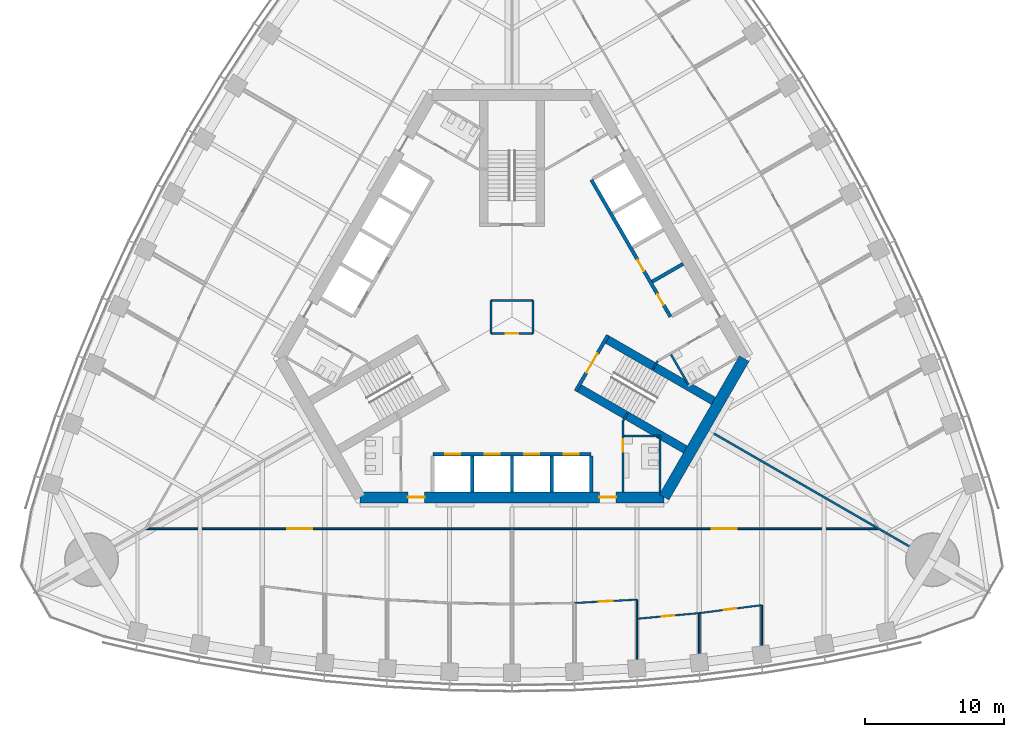
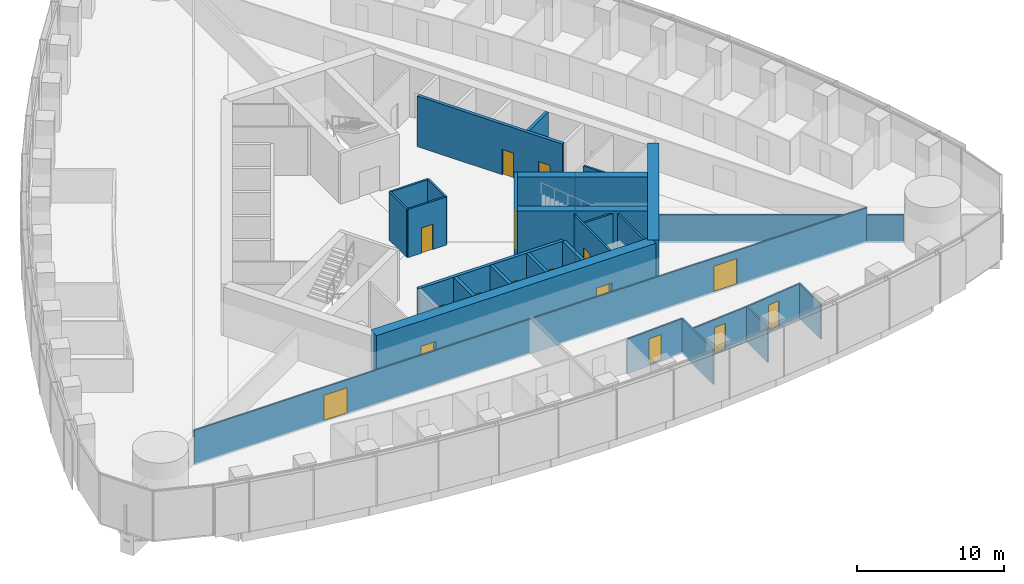
# One storey, part 12 of 21: 30 walls, 16 doors, 16 openings.
"""IFC4 building model written with IfcOpenShell, lengths in metres."""

from ifc_helpers import new_model, si_unit, direction, frame, frame_2d, origin, place, context, subcontext, project, spatial, rectangle, extrude, material, layer, layer_set, type_object, element, fill, save


model = new_model("IFC4")

# Units and contexts
model_context = context("Model", 3, precision=1e-05, world=origin(), true_north=direction((0.0, 1.0)))
body_context = subcontext(model_context, "Body", "Model", "MODEL_VIEW")
ifc_project = project(units=[si_unit("LENGTHUNIT", "METRE"), si_unit("AREAUNIT", "SQUARE_METRE"), si_unit("VOLUMEUNIT", "CUBIC_METRE"), si_unit("PLANEANGLEUNIT", "RADIAN"), si_unit("MASSUNIT", "GRAM", prefix="KILO")], contexts=[model_context])

# Site, building, storey
site_placement = place(None, origin())
site = spatial("IfcSite", under=ifc_project, at=site_placement, CompositionType="ELEMENT")
building_placement = place(site_placement, origin())
building = spatial("IfcBuilding", under=site, at=building_placement, Name="Trefoil Bronze Tower", CompositionType="ELEMENT")
storey_placement = place(building_placement, frame((0.0, 0.0, 149.300048828125)))
storey = spatial("IfcBuildingStorey", under=building, at=storey_placement, Name="L34", CompositionType="ELEMENT", Elevation=149.300048828125)

# Wall, openings, doors
ifc_material_1 = material(Name="Concrete B80", Category="concrete")
ifc_layer_1 = layer(ifc_material_1, 0.800048828125)
ifc_layer_set_1 = layer_set([ifc_layer_1], Name="Core wall 800")
wall_type_1 = type_object("IfcWallType", Name="Core wall 800", PredefinedType="SHEAR", material=ifc_layer_set_1)
wall_1_placement = place(storey_placement, frame((-10.9697265625, -13.0, 0.0), z_axis=(0.0, 0.0, 1.0), x_axis=(1.0, 0.0, 0.0)))
wall_1 = element("IfcWall", 1, at=wall_1_placement, inside=storey, type_object=wall_type_1, Name="Core long wall 1 L34", PredefinedType="SHEAR", context=body_context, shape_type="SweptSolid", body=[
    extrude(rectangle(XDim=21.939453125, YDim=0.800048828125, at=frame_2d((10.9697265625, 0.0))), origin(), (0.0, 0.0, 1.0), 4.199951171875),
])
opening_1_placement = place(wall_1_placement, frame((17.269775390625, 0.0, 0.0)))
opening_1 = element("IfcOpeningElement", 2, at=opening_1_placement, cuts=wall_1, Name="Opening D2", PredefinedType="OPENING", context=body_context, shape_type="SweptSolid", body=[
    extrude(rectangle(XDim=1.199951171875, YDim=2.10009765625, at=frame_2d((0.60009765625, 1.050048828125))), frame((0.0, 0.409912109375, 0.0), z_axis=(0.0, -1.0, 0.0), x_axis=(1.0, 0.0, 0.0)), (0.0, 0.0, 1.0), 0.820068359375),
])
opening_2_placement = place(wall_1_placement, frame((3.4697265625, 0.0, 0.0)))
opening_2 = element("IfcOpeningElement", 3, at=opening_2_placement, cuts=wall_1, Name="Opening D2", PredefinedType="OPENING", context=body_context, shape_type="SweptSolid", body=[
    extrude(rectangle(XDim=1.199951171875, YDim=2.10009765625, at=frame_2d((0.60009765625, 1.050048828125))), frame((0.0, 0.409912109375, 0.0), z_axis=(0.0, -1.0, 0.0), x_axis=(1.0, 0.0, 0.0)), (0.0, 0.0, 1.0), 0.820068359375),
])
ifc_material_2 = material(Name="Steel door", Category="steel")
door_type_1 = type_object("IfcDoorType", Name="Lobby door 1200", OperationType="SINGLE_SWING_RIGHT", PredefinedType="DOOR", material=ifc_material_2)
door_1_placement = place(opening_1_placement, origin())
door_1 = element("IfcDoor", 4, at=door_1_placement, inside=storey, type_object=door_type_1, Name="Lobby door F1+ L34", OperationType="SINGLE_SWING_RIGHT", OverallHeight=2.10009765625, OverallWidth=1.199951171875, PredefinedType="DOOR", context=body_context, shape_type="SweptSolid", body=[
    extrude(rectangle(XDim=1.199951171875, YDim=2.10009765625, at=frame_2d((0.60009765625, 1.050048828125))), frame((0.0, 0.02490234375, 0.0), z_axis=(0.0, -1.0, 0.0), x_axis=(1.0, 0.0, 0.0)), (0.0, 0.0, 1.0), 0.050048828125),
])
fill(opening_1, door_1)
door_2_placement = place(opening_2_placement, origin())
door_2 = element("IfcDoor", 5, at=door_2_placement, inside=storey, type_object=door_type_1, Name="Lobby door F1- L34", OperationType="SINGLE_SWING_LEFT", OverallHeight=2.10009765625, OverallWidth=1.199951171875, PredefinedType="DOOR", context=body_context, shape_type="SweptSolid", body=[
    extrude(rectangle(XDim=1.199951171875, YDim=2.10009765625, at=frame_2d((0.60009765625, 1.050048828125))), frame((0.0, 0.02490234375, 0.0), z_axis=(0.0, -1.0, 0.0), x_axis=(1.0, 0.0, 0.0)), (0.0, 0.0, 1.0), 0.050048828125),
])
fill(opening_2, door_2)

# Wall
wall_2_placement = place(storey_placement, frame((10.9697265625, -13.0, 0.0), z_axis=(0.0, 0.0, 1.0), x_axis=(0.499995765644, 0.866027848477, 0.0)))
element("IfcWall", 6, at=wall_2_placement, inside=storey, type_object=wall_type_1, Name="Core short wall 1 L34", PredefinedType="SHEAR", context=body_context, shape_type="SweptSolid", body=[
    extrude(rectangle(XDim=11.546875, YDim=0.800048828125, at=frame_2d((5.7734375, 0.0))), origin(), (0.0, 0.0, 1.0), 4.199951171875),
])

# Wall, openings, doors
ifc_material_3 = material(Name="Glazed partition", Category="glass")
ifc_layer_2 = layer(ifc_material_3, 0.1201171875)
ifc_layer_set_2 = layer_set([ifc_layer_2], Name="Glazed partition 120")
wall_type_2 = type_object("IfcWallType", Name="Glazed partition 120", PredefinedType="PARTITIONING", material=ifc_layer_set_2)
wall_3_placement = place(storey_placement, frame((-26.398193359375, -15.260009765625, 0.0), z_axis=(0.0, 0.0, 1.0), x_axis=(1.0, 0.0, 0.0)))
wall_3 = element("IfcWall", 7, at=wall_3_placement, inside=storey, type_object=wall_type_2, Name="Partition F1 L34", PredefinedType="PARTITIONING", context=body_context, shape_type="SweptSolid", body=[
    extrude(rectangle(XDim=52.79638671875, YDim=0.1201171875, at=frame_2d((26.398193359375, 0.0))), origin(), (0.0, 0.0, 1.0), 2.89990234375),
])
opening_3_placement = place(wall_3_placement, frame((10.199951171875, 0.0, 0.14990234375)))
opening_3 = element("IfcOpeningElement", 8, at=opening_3_placement, cuts=wall_3, Name="Opening D10", PredefinedType="OPENING", context=body_context, shape_type="SweptSolid", body=[
    extrude(rectangle(XDim=1.800048828125, YDim=2.10009765625, at=frame_2d((0.89990234375, 1.050048828125))), frame((0.0, 0.070068359375, 0.0), z_axis=(0.0, -1.0, 0.0), x_axis=(1.0, 0.0, 0.0)), (0.0, 0.0, 1.0), 0.14013671875),
])
opening_4_placement = place(wall_3_placement, frame((40.800048828125, 0.0, 0.14990234375)))
opening_4 = element("IfcOpeningElement", 9, at=opening_4_placement, cuts=wall_3, Name="Opening D10", PredefinedType="OPENING", context=body_context, shape_type="SweptSolid", body=[
    extrude(rectangle(XDim=1.800048828125, YDim=2.10009765625, at=frame_2d((0.89990234375, 1.050048828125))), frame((0.0, 0.070068359375, 0.0), z_axis=(0.0, -1.0, 0.0), x_axis=(1.0, 0.0, 0.0)), (0.0, 0.0, 1.0), 0.14013671875),
])
ifc_material_4 = material(Name="Timber door", Category="wood")
door_type_2 = type_object("IfcDoorType", Name="Double door 1800", OperationType="DOUBLE_DOOR_SINGLE_SWING", PredefinedType="DOOR", material=ifc_material_4)
door_3_placement = place(opening_3_placement, origin())
door_3 = element("IfcDoor", 10, at=door_3_placement, inside=storey, type_object=door_type_2, Name="Corridor door F1 L34", OperationType="DOUBLE_DOOR_SINGLE_SWING", OverallHeight=2.10009765625, OverallWidth=1.800048828125, PredefinedType="DOOR", context=body_context, shape_type="SweptSolid", body=[
    extrude(rectangle(XDim=1.800048828125, YDim=2.10009765625, at=frame_2d((0.89990234375, 1.050048828125))), frame((0.0, 0.02490234375, 0.0), z_axis=(0.0, -1.0, 0.0), x_axis=(1.0, 0.0, 0.0)), (0.0, 0.0, 1.0), 0.050048828125),
])
fill(opening_3, door_3)
door_4_placement = place(opening_4_placement, origin())
door_4 = element("IfcDoor", 11, at=door_4_placement, inside=storey, type_object=door_type_2, Name="Corridor door F1 L34", OperationType="DOUBLE_DOOR_SINGLE_SWING", OverallHeight=2.10009765625, OverallWidth=1.800048828125, PredefinedType="DOOR", context=body_context, shape_type="SweptSolid", body=[
    extrude(rectangle(XDim=1.800048828125, YDim=2.10009765625, at=frame_2d((0.89990234375, 1.050048828125))), frame((0.0, 0.02490234375, 0.0), z_axis=(0.0, -1.0, 0.0), x_axis=(1.0, 0.0, 0.0)), (0.0, 0.0, 1.0), 0.050048828125),
])
fill(opening_4, door_4)

# Wall, opening, door
wall_4_placement = place(storey_placement, frame((13.5, -21.347900390625, 0.0), z_axis=(0.0, 0.0, 1.0), x_axis=(0.992010652594, 0.12615413247, 0.0)))
wall_4 = element("IfcWall", 12, at=wall_4_placement, inside=storey, type_object=wall_type_2, Name="Partition F1 L34", PredefinedType="PARTITIONING", context=body_context, shape_type="SweptSolid", body=[
    extrude(rectangle(XDim=4.5361328125, YDim=0.1201171875, at=frame_2d((2.26806640625, 0.0))), origin(), (0.0, 0.0, 1.0), 2.89990234375),
])
opening_5_placement = place(wall_4_placement, frame((1.800048828125, 0.0, 0.14990234375)))
opening_5 = element("IfcOpeningElement", 13, at=opening_5_placement, cuts=wall_4, Name="Opening D8", PredefinedType="OPENING", context=body_context, shape_type="SweptSolid", body=[
    extrude(rectangle(XDim=0.89990234375, YDim=2.10009765625, at=frame_2d((0.449951171875, 1.050048828125))), frame((0.0, 0.070068359375, 0.0), z_axis=(0.0, -1.0, 0.0), x_axis=(1.0, 0.0, 0.0)), (0.0, 0.0, 1.0), 0.14013671875),
])
ifc_material_5 = material(Name="Timber door", Category="wood")
door_type_3 = type_object("IfcDoorType", Name="Office door 900", OperationType="SINGLE_SWING_LEFT", PredefinedType="DOOR", material=ifc_material_5)
door_5_placement = place(opening_5_placement, frame((0.89990234375, 0.0, 0.0), z_axis=(0.0, 0.0, 1.0), x_axis=(-1.0, 0.0, 0.0)))
door_5 = element("IfcDoor", 14, at=door_5_placement, inside=storey, type_object=door_type_3, Name="Pantry door F1 L34", OperationType="SINGLE_SWING_RIGHT", OverallHeight=2.10009765625, OverallWidth=0.89990234375, PredefinedType="DOOR", context=body_context, shape_type="SweptSolid", body=[
    extrude(rectangle(XDim=0.89990234375, YDim=2.10009765625, at=frame_2d((0.449951171875, 1.050048828125))), frame((0.0, 0.02490234375, 0.0), z_axis=(0.0, -1.0, 0.0), x_axis=(1.0, 0.0, 0.0)), (0.0, 0.0, 1.0), 0.050048828125),
])
fill(opening_5, door_5)

wall_5_placement = place(storey_placement, frame((4.5, -20.61865234375, 0.0), z_axis=(0.0, 0.0, 1.0), x_axis=(0.998537376538, 0.054065771581, 0.0)))
wall_5 = element("IfcWall", 15, at=wall_5_placement, inside=storey, type_object=wall_type_2, Name="Partition F1 L34", PredefinedType="PARTITIONING", context=body_context, shape_type="SweptSolid", body=[
    extrude(rectangle(XDim=4.506591796875, YDim=0.1201171875, at=frame_2d((2.25341796875, 0.0))), origin(), (0.0, 0.0, 1.0), 2.89990234375),
])
opening_6_placement = place(wall_5_placement, frame((1.75, 0.0, 0.14990234375)))
opening_6 = element("IfcOpeningElement", 16, at=opening_6_placement, cuts=wall_5, Name="Opening D9", PredefinedType="OPENING", context=body_context, shape_type="SweptSolid", body=[
    extrude(rectangle(XDim=1.0, YDim=2.10009765625, at=frame_2d((0.5, 1.050048828125))), frame((0.0, 0.070068359375, 0.0), z_axis=(0.0, -1.0, 0.0), x_axis=(1.0, 0.0, 0.0)), (0.0, 0.0, 1.0), 0.14013671875),
])
ifc_material_6 = material(Name="Glazed timber door", Category="wood")
door_type_4 = type_object("IfcDoorType", Name="Meeting room door 1000", OperationType="SINGLE_SWING_LEFT", PredefinedType="DOOR", material=ifc_material_6)
door_6_placement = place(opening_6_placement, frame((1.0, 0.0, 0.0), z_axis=(0.0, 0.0, 1.0), x_axis=(-1.0, 0.0, 0.0)))
door_6 = element("IfcDoor", 17, at=door_6_placement, inside=storey, type_object=door_type_4, Name="Meeting room door F1 L34", OperationType="SINGLE_SWING_RIGHT", OverallHeight=2.10009765625, OverallWidth=1.0, PredefinedType="DOOR", context=body_context, shape_type="SweptSolid", body=[
    extrude(rectangle(XDim=1.0, YDim=2.10009765625, at=frame_2d((0.5, 1.050048828125))), frame((0.0, 0.02490234375, 0.0), z_axis=(0.0, -1.0, 0.0), x_axis=(1.0, 0.0, 0.0)), (0.0, 0.0, 1.0), 0.050048828125),
])
fill(opening_6, door_6)

wall_6_placement = place(storey_placement, frame((9.0, -21.7548828125, 0.0), z_axis=(0.0, 0.0, 1.0), x_axis=(0.995935173755, 0.090072913121, 0.0)))
wall_6 = element("IfcWall", 18, at=wall_6_placement, inside=storey, type_object=wall_type_2, Name="Partition F1 L34", PredefinedType="PARTITIONING", context=body_context, shape_type="SweptSolid", body=[
    extrude(rectangle(XDim=4.518310546875, YDim=0.1201171875, at=frame_2d((2.25927734375, 0.0))), origin(), (0.0, 0.0, 1.0), 2.89990234375),
])
opening_7_placement = place(wall_6_placement, frame((1.800048828125, 0.0, 0.14990234375)))
opening_7 = element("IfcOpeningElement", 19, at=opening_7_placement, cuts=wall_6, Name="Opening D8", PredefinedType="OPENING", context=body_context, shape_type="SweptSolid", body=[
    extrude(rectangle(XDim=0.89990234375, YDim=2.10009765625, at=frame_2d((0.449951171875, 1.050048828125))), frame((0.0, 0.070068359375, 0.0), z_axis=(0.0, -1.0, 0.0), x_axis=(1.0, 0.0, 0.0)), (0.0, 0.0, 1.0), 0.14013671875),
])
door_7_placement = place(opening_7_placement, frame((0.89990234375, 0.0, 0.0), z_axis=(0.0, 0.0, 1.0), x_axis=(-1.0, 0.0, 0.0)))
door_7 = element("IfcDoor", 20, at=door_7_placement, inside=storey, type_object=door_type_3, Name="Pantry door F1 L34", OperationType="SINGLE_SWING_RIGHT", OverallHeight=2.10009765625, OverallWidth=0.89990234375, PredefinedType="DOOR", context=body_context, shape_type="SweptSolid", body=[
    extrude(rectangle(XDim=0.89990234375, YDim=2.10009765625, at=frame_2d((0.449951171875, 1.050048828125))), frame((0.0, 0.02490234375, 0.0), z_axis=(0.0, -1.0, 0.0), x_axis=(1.0, 0.0, 0.0)), (0.0, 0.0, 1.0), 0.050048828125),
])
fill(opening_7, door_7)

# Walls
wall_7_placement = place(storey_placement, frame((13.5, -21.347900390625, 0.0), z_axis=(0.0, 0.0, 1.0), x_axis=(0.0, -1.0, 0.0)))
element("IfcWall", 21, at=wall_7_placement, inside=storey, type_object=wall_type_2, Name="Partition F1 L34", PredefinedType="PARTITIONING", context=body_context, shape_type="SweptSolid", body=[
    extrude(rectangle(XDim=2.906494140625, YDim=0.1201171875, at=frame_2d((1.453125, 0.0))), origin(), (0.0, 0.0, 1.0), 2.89990234375),
])
wall_8_placement = place(storey_placement, frame((18.0, -20.775634765625, 0.0), z_axis=(0.0, 0.0, 1.0), x_axis=(0.0, -1.0, 0.0)))
element("IfcWall", 22, at=wall_8_placement, inside=storey, type_object=wall_type_2, Name="Partition F1 L34", PredefinedType="PARTITIONING", context=body_context, shape_type="SweptSolid", body=[
    extrude(rectangle(XDim=2.899658203125, YDim=0.1201171875, at=frame_2d((1.44970703125, 0.0))), origin(), (0.0, 0.0, 1.0), 2.89990234375),
])
wall_9_placement = place(storey_placement, frame((9.0, -20.375, 0.0), z_axis=(0.0, 0.0, 1.0), x_axis=(0.0, -1.0, 0.0)))
element("IfcWall", 23, at=wall_9_placement, inside=storey, type_object=wall_type_2, Name="Partition F1 L34", PredefinedType="PARTITIONING", context=body_context, shape_type="SweptSolid", body=[
    extrude(rectangle(XDim=4.291259765625, YDim=0.1201171875, at=frame_2d((2.1455078125, 0.0))), origin(), (0.0, 0.0, 1.0), 2.89990234375),
])

# Wall, opening, door
ifc_material_7 = material(Name="Gypsum board on steel studs", Category="steel")
ifc_layer_3 = layer(ifc_material_7, 0.14990234375)
ifc_layer_set_3 = layer_set([ifc_layer_3], Name="Partition 150")
wall_type_3 = type_object("IfcWallType", Name="Partition 150", PredefinedType="PARTITIONING", material=ifc_layer_set_3)
wall_10_placement = place(storey_placement, frame((8.0, -7.5, 0.0), z_axis=(0.0, 0.0, 1.0), x_axis=(0.0, -1.0, 0.0)))
wall_10 = element("IfcWall", 24, at=wall_10_placement, inside=storey, type_object=wall_type_3, Name="Passage wall F1+ L34", PredefinedType="PARTITIONING", context=body_context, shape_type="SweptSolid", body=[
    extrude(rectangle(XDim=5.10009765625, YDim=0.14990234375, at=frame_2d((2.550048828125, 0.0))), origin(), (0.0, 0.0, 1.0), 4.0),
])
opening_8_placement = place(wall_10_placement, frame((1.300048828125, 0.0, 0.0)))
opening_8 = element("IfcOpeningElement", 25, at=opening_8_placement, cuts=wall_10, Name="Opening D3", PredefinedType="OPENING", context=body_context, shape_type="SweptSolid", body=[
    extrude(rectangle(XDim=0.89990234375, YDim=2.10009765625, at=frame_2d((0.449951171875, 1.050048828125))), frame((0.0, 0.0849609375, 0.0), z_axis=(0.0, -1.0, 0.0), x_axis=(1.0, 0.0, 0.0)), (0.0, 0.0, 1.0), 0.169921875),
])
ifc_material_8 = material(Name="Timber door", Category="wood")
door_type_5 = type_object("IfcDoorType", Name="WC door 900", OperationType="SINGLE_SWING_LEFT", PredefinedType="DOOR", material=ifc_material_8)
door_8_placement = place(opening_8_placement, origin())
door_8 = element("IfcDoor", 26, at=door_8_placement, inside=storey, type_object=door_type_5, Name="WC (men) door L34", OperationType="SINGLE_SWING_LEFT", OverallHeight=2.10009765625, OverallWidth=0.89990234375, PredefinedType="DOOR", context=body_context, shape_type="SweptSolid", body=[
    extrude(rectangle(XDim=0.89990234375, YDim=2.10009765625, at=frame_2d((0.449951171875, 1.050048828125))), frame((0.0, 0.02490234375, 0.0), z_axis=(0.0, -1.0, 0.0), x_axis=(1.0, 0.0, 0.0)), (0.0, 0.0, 1.0), 0.050048828125),
])
fill(opening_8, door_8)

# Walls
for number, where, z_axis, x_axis, name in (
    (27, (8.0, -7.5, 0.0), (0.0, 0.0, 1.0), (0.499842556608, 0.866116284689, 0.0), "WC wall ST1-1 L34"),
    (28, (10.4951171875, -3.17822265625, 0.0), (0.0, 0.0, 1.0), (-0.499842556608, -0.866116284689, 0.0), "WC wall ST1+1 L34"),
):
    element("IfcWall", number, at=place(storey_placement, frame(where, z_axis=z_axis, x_axis=x_axis)), inside=storey, type_object=wall_type_3, Name=name, PredefinedType="PARTITIONING", context=body_context, shape_type="SweptSolid", body=[
        extrude(rectangle(XDim=0.645263671875, YDim=0.14990234375, at=frame_2d((0.32275390625, 0.0))), origin(), (0.0, 0.0, 1.0), 4.0),
    ])
wall_11_placement = place(storey_placement, frame((10.659912109375, -8.5, 0.0), z_axis=(0.0, 0.0, 1.0), x_axis=(0.0, -1.0, 0.0)))
element("IfcWall", 29, at=wall_11_placement, inside=storey, type_object=wall_type_3, Name="WC partition WC (men) L34", PredefinedType="PARTITIONING", context=body_context, shape_type="SweptSolid", body=[
    extrude(rectangle(XDim=4.10009765625, YDim=0.14990234375, at=frame_2d((2.050048828125, 0.0))), origin(), (0.0, 0.0, 1.0), 4.0),
])
wall_12_placement = place(storey_placement, frame((8.074951171875, -8.574951171875, 0.0), z_axis=(0.0, 0.0, 1.0), x_axis=(1.0, 0.0, 0.0)))
element("IfcWall", 30, at=wall_12_placement, inside=storey, type_object=wall_type_3, Name="WC partition WC (men) L34", PredefinedType="PARTITIONING", context=body_context, shape_type="SweptSolid", body=[
    extrude(rectangle(XDim=2.510009765625, YDim=0.14990234375, at=frame_2d((1.2548828125, 0.0))), origin(), (0.0, 0.0, 1.0), 4.0),
])
wall_13_placement = place(storey_placement, frame((11.463623046875, -2.70556640625, 0.0), z_axis=(0.0, 0.0, 1.0), x_axis=(0.50001992892, -0.866013897511, 0.0)))
element("IfcWall", 31, at=wall_13_placement, inside=storey, type_object=wall_type_3, Name="WC partition WC (women) L34", PredefinedType="PARTITIONING", context=body_context, shape_type="SweptSolid", body=[
    extrude(rectangle(XDim=2.51025390625, YDim=0.14990234375, at=frame_2d((1.255126953125, 0.0))), origin(), (0.0, 0.0, 1.0), 4.0),
])
ifc_material_9 = material(Name="Gypsum board on steel studs", Category="steel")
ifc_layer_4 = layer(ifc_material_9, 0.14990234375)
ifc_layer_set_4 = layer_set([ifc_layer_4], Name="Party wall 150")
wall_type_4 = type_object("IfcWallType", Name="Party wall 150", PredefinedType="PARTITIONING", material=ifc_layer_set_4)
wall_14_placement = place(storey_placement, frame((14.202880859375, -8.199951171875, 0.0), z_axis=(0.0, 0.0, 1.0), x_axis=(0.866024668836, -0.500001272966, 0.0)))
element("IfcWall", 32, at=wall_14_placement, inside=storey, type_object=wall_type_4, Name="Party wall K1 L34", PredefinedType="PARTITIONING", context=body_context, shape_type="SweptSolid", body=[
    extrude(rectangle(XDim=16.64990234375, YDim=0.14990234375, at=frame_2d((8.324951171875, 0.0))), origin(), (0.0, 0.0, 1.0), 2.300048828125),
])

# Wall, opening, door
ifc_material_10 = material(Name="Gypsum board on steel studs", Category="steel")
ifc_layer_5 = layer(ifc_material_10, 0.14990234375)
ifc_layer_set_5 = layer_set([ifc_layer_5], Name="Riser wall 150")
wall_type_5 = type_object("IfcWallType", Name="Riser wall 150", PredefinedType="PARTITIONING", material=ifc_layer_set_5)
wall_15_placement = place(storey_placement, frame((-1.5, -1.199951171875, 0.0), z_axis=(0.0, 0.0, 1.0), x_axis=(1.0, 0.0, 0.0)))
wall_15 = element("IfcWall", 33, at=wall_15_placement, inside=storey, type_object=wall_type_5, Name="Riser wall L34", PredefinedType="PARTITIONING", context=body_context, shape_type="SweptSolid", body=[
    extrude(rectangle(XDim=3.0, YDim=0.14990234375, at=frame_2d((1.5, 0.0))), origin(), (0.0, 0.0, 1.0), 4.0),
])
opening_9_placement = place(wall_15_placement, frame((1.050048828125, 0.0, 0.0)))
opening_9 = element("IfcOpeningElement", 34, at=opening_9_placement, cuts=wall_15, Name="Opening D4", PredefinedType="OPENING", context=body_context, shape_type="SweptSolid", body=[
    extrude(rectangle(XDim=0.89990234375, YDim=2.10009765625, at=frame_2d((0.449951171875, 1.050048828125))), frame((0.0, 0.0849609375, 0.0), z_axis=(0.0, -1.0, 0.0), x_axis=(1.0, 0.0, 0.0)), (0.0, 0.0, 1.0), 0.169921875),
])
ifc_material_11 = material(Name="Steel door", Category="steel")
door_type_6 = type_object("IfcDoorType", Name="Riser door 900", OperationType="SINGLE_SWING_LEFT", PredefinedType="DOOR", material=ifc_material_11)
door_9_placement = place(opening_9_placement, frame((0.89990234375, 0.0, 0.0), z_axis=(0.0, 0.0, 1.0), x_axis=(-1.0, 0.0, 0.0)))
door_9 = element("IfcDoor", 35, at=door_9_placement, inside=storey, type_object=door_type_6, Name="Riser door L34", OperationType="SINGLE_SWING_LEFT", OverallHeight=2.10009765625, OverallWidth=0.89990234375, PredefinedType="DOOR", context=body_context, shape_type="SweptSolid", body=[
    extrude(rectangle(XDim=0.89990234375, YDim=2.10009765625, at=frame_2d((0.449951171875, 1.050048828125))), frame((0.0, 0.02490234375, 0.0), z_axis=(0.0, -1.0, 0.0), x_axis=(1.0, 0.0, 0.0)), (0.0, 0.0, 1.0), 0.050048828125),
])
fill(opening_9, door_9)

# Walls
wall_16_placement = place(storey_placement, frame((1.5, -1.199951171875, 0.0), z_axis=(0.0, 0.0, 1.0), x_axis=(0.0, 1.0, 0.0)))
element("IfcWall", 36, at=wall_16_placement, inside=storey, type_object=wall_type_5, Name="Riser wall L34", PredefinedType="PARTITIONING", context=body_context, shape_type="SweptSolid", body=[
    extrude(rectangle(XDim=2.39990234375, YDim=0.14990234375, at=frame_2d((1.199951171875, 0.0))), origin(), (0.0, 0.0, 1.0), 4.0),
])
wall_17_placement = place(storey_placement, frame((1.5, 1.199951171875, 0.0), z_axis=(0.0, 0.0, 1.0), x_axis=(-1.0, 0.0, 0.0)))
element("IfcWall", 37, at=wall_17_placement, inside=storey, type_object=wall_type_5, Name="Riser wall L34", PredefinedType="PARTITIONING", context=body_context, shape_type="SweptSolid", body=[
    extrude(rectangle(XDim=3.0, YDim=0.14990234375, at=frame_2d((1.5, 0.0))), origin(), (0.0, 0.0, 1.0), 4.0),
])
wall_18_placement = place(storey_placement, frame((-1.5, 1.199951171875, 0.0), z_axis=(0.0, 0.0, 1.0), x_axis=(0.0, -1.0, 0.0)))
element("IfcWall", 38, at=wall_18_placement, inside=storey, type_object=wall_type_5, Name="Riser wall L34", PredefinedType="PARTITIONING", context=body_context, shape_type="SweptSolid", body=[
    extrude(rectangle(XDim=2.39990234375, YDim=0.14990234375, at=frame_2d((1.199951171875, 0.0))), origin(), (0.0, 0.0, 1.0), 4.0),
])

# Wall, openings, doors
ifc_material_12 = material(Name="Concrete B80", Category="concrete")
ifc_layer_6 = layer(ifc_material_12, 0.25)
ifc_layer_set_6 = layer_set([ifc_layer_6], Name="Shaft wall 250")
wall_type_6 = type_object("IfcWallType", Name="Shaft wall 250", PredefinedType="SHEAR", material=ifc_layer_set_6)
wall_19_placement = place(storey_placement, frame((-5.699951171875, -9.89990234375, 0.0), z_axis=(0.0, 0.0, 1.0), x_axis=(1.0, 0.0, 0.0)))
wall_19 = element("IfcWall", 39, at=wall_19_placement, inside=storey, type_object=wall_type_6, Name="Lift shaft front wall A L34", PredefinedType="SHEAR", context=body_context, shape_type="SweptSolid", body=[
    extrude(rectangle(XDim=11.39990234375, YDim=0.25, at=frame_2d((5.699951171875, 0.0))), origin(), (0.0, 0.0, 1.0), 4.199951171875),
])
opening_10_placement = place(wall_19_placement, frame((0.875, 0.0, 0.0)))
opening_10 = element("IfcOpeningElement", 40, at=opening_10_placement, cuts=wall_19, Name="Opening LD-P21", PredefinedType="OPENING", context=body_context, shape_type="SweptSolid", body=[
    extrude(rectangle(XDim=1.10009765625, YDim=2.199951171875, at=frame_2d((0.550048828125, 1.10009765625))), frame((0.0, 0.135009765625, 0.0), z_axis=(0.0, -1.0, 0.0), x_axis=(1.0, 0.0, 0.0)), (0.0, 0.0, 1.0), 0.27001953125),
])
opening_11_placement = place(wall_19_placement, frame((3.72509765625, 0.0, 0.0)))
opening_11 = element("IfcOpeningElement", 41, at=opening_11_placement, cuts=wall_19, Name="Opening LD-P22", PredefinedType="OPENING", context=body_context, shape_type="SweptSolid", body=[
    extrude(rectangle(XDim=1.10009765625, YDim=2.199951171875, at=frame_2d((0.550048828125, 1.10009765625))), frame((0.0, 0.135009765625, 0.0), z_axis=(0.0, -1.0, 0.0), x_axis=(1.0, 0.0, 0.0)), (0.0, 0.0, 1.0), 0.27001953125),
])
opening_12_placement = place(wall_19_placement, frame((6.574951171875, 0.0, 0.0)))
opening_12 = element("IfcOpeningElement", 42, at=opening_12_placement, cuts=wall_19, Name="Opening LD-P23", PredefinedType="OPENING", context=body_context, shape_type="SweptSolid", body=[
    extrude(rectangle(XDim=1.10009765625, YDim=2.199951171875, at=frame_2d((0.550048828125, 1.10009765625))), frame((0.0, 0.135009765625, 0.0), z_axis=(0.0, -1.0, 0.0), x_axis=(1.0, 0.0, 0.0)), (0.0, 0.0, 1.0), 0.27001953125),
])
opening_13_placement = place(wall_19_placement, frame((9.425048828125, 0.0, 0.0)))
opening_13 = element("IfcOpeningElement", 43, at=opening_13_placement, cuts=wall_19, Name="Opening LD-P24", PredefinedType="OPENING", context=body_context, shape_type="SweptSolid", body=[
    extrude(rectangle(XDim=1.10009765625, YDim=2.199951171875, at=frame_2d((0.550048828125, 1.10009765625))), frame((0.0, 0.135009765625, 0.0), z_axis=(0.0, -1.0, 0.0), x_axis=(1.0, 0.0, 0.0)), (0.0, 0.0, 1.0), 0.27001953125),
])
ifc_material_13 = material(Name="Steel door", Category="steel")
door_type_7 = type_object("IfcDoorType", Name="Lift landing door 1100", OperationType="DOUBLE_DOOR_SLIDING", PredefinedType="DOOR", material=ifc_material_13)
door_10_placement = place(opening_10_placement, origin())
door_10 = element("IfcDoor", 44, at=door_10_placement, inside=storey, type_object=door_type_7, Name="Lift P21 landing door L34", OperationType="DOUBLE_DOOR_SLIDING", OverallHeight=2.199951171875, OverallWidth=1.10009765625, PredefinedType="DOOR", context=body_context, shape_type="SweptSolid", body=[
    extrude(rectangle(XDim=1.10009765625, YDim=2.199951171875, at=frame_2d((0.550048828125, 1.10009765625))), frame((0.0, 0.02490234375, 0.0), z_axis=(0.0, -1.0, 0.0), x_axis=(1.0, 0.0, 0.0)), (0.0, 0.0, 1.0), 0.050048828125),
])
fill(opening_10, door_10)
door_11_placement = place(opening_11_placement, origin())
door_11 = element("IfcDoor", 45, at=door_11_placement, inside=storey, type_object=door_type_7, Name="Lift P22 landing door L34", OperationType="DOUBLE_DOOR_SLIDING", OverallHeight=2.199951171875, OverallWidth=1.10009765625, PredefinedType="DOOR", context=body_context, shape_type="SweptSolid", body=[
    extrude(rectangle(XDim=1.10009765625, YDim=2.199951171875, at=frame_2d((0.550048828125, 1.10009765625))), frame((0.0, 0.02490234375, 0.0), z_axis=(0.0, -1.0, 0.0), x_axis=(1.0, 0.0, 0.0)), (0.0, 0.0, 1.0), 0.050048828125),
])
fill(opening_11, door_11)
door_12_placement = place(opening_12_placement, origin())
door_12 = element("IfcDoor", 46, at=door_12_placement, inside=storey, type_object=door_type_7, Name="Lift P23 landing door L34", OperationType="DOUBLE_DOOR_SLIDING", OverallHeight=2.199951171875, OverallWidth=1.10009765625, PredefinedType="DOOR", context=body_context, shape_type="SweptSolid", body=[
    extrude(rectangle(XDim=1.10009765625, YDim=2.199951171875, at=frame_2d((0.550048828125, 1.10009765625))), frame((0.0, 0.02490234375, 0.0), z_axis=(0.0, -1.0, 0.0), x_axis=(1.0, 0.0, 0.0)), (0.0, 0.0, 1.0), 0.050048828125),
])
fill(opening_12, door_12)
door_13_placement = place(opening_13_placement, origin())
door_13 = element("IfcDoor", 47, at=door_13_placement, inside=storey, type_object=door_type_7, Name="Lift P24 landing door L34", OperationType="DOUBLE_DOOR_SLIDING", OverallHeight=2.199951171875, OverallWidth=1.10009765625, PredefinedType="DOOR", context=body_context, shape_type="SweptSolid", body=[
    extrude(rectangle(XDim=1.10009765625, YDim=2.199951171875, at=frame_2d((0.550048828125, 1.10009765625))), frame((0.0, 0.02490234375, 0.0), z_axis=(0.0, -1.0, 0.0), x_axis=(1.0, 0.0, 0.0)), (0.0, 0.0, 1.0), 0.050048828125),
])
fill(opening_13, door_13)

# Walls
for number, where, z_axis, x_axis, name in (
    (48, (-2.85009765625, -10.02490234375, 0.0), (0.0, 0.0, 1.0), (0.0, -1.0, 0.0), "Lift shaft side wall A1 L34"),
    (49, (0.0, -10.02490234375, 0.0), (0.0, 0.0, 1.0), (0.0, -1.0, 0.0), "Lift shaft side wall A2 L34"),
    (50, (2.85009765625, -10.02490234375, 0.0), (0.0, 0.0, 1.0), (0.0, -1.0, 0.0), "Lift shaft side wall A3 L34"),
    (51, (5.699951171875, -10.02490234375, 0.0), (0.0, 0.0, 1.0), (0.0, -1.0, 0.0), "Lift shaft side wall A4 L34"),
):
    element("IfcWall", number, at=place(storey_placement, frame(where, z_axis=z_axis, x_axis=x_axis)), inside=storey, type_object=wall_type_6, Name=name, PredefinedType="SHEAR", context=body_context, shape_type="SweptSolid", body=[
        extrude(rectangle(XDim=2.5751953125, YDim=0.25, at=frame_2d((1.28759765625, 0.0))), origin(), (0.0, 0.0, 1.0), 4.199951171875),
    ])

# Wall, openings, doors
wall_20_placement = place(storey_placement, frame((11.423583984375, 0.013671875, 0.0), z_axis=(0.0, 0.0, 1.0), x_axis=(-0.500001763848, 0.866024385424, 0.0)))
wall_20 = element("IfcWall", 52, at=wall_20_placement, inside=storey, type_object=wall_type_6, Name="Lift shaft front wall B L34", PredefinedType="SHEAR", context=body_context, shape_type="SweptSolid", body=[
    extrude(rectangle(XDim=11.39990234375, YDim=0.25, at=frame_2d((5.699951171875, 0.0))), origin(), (0.0, 0.0, 1.0), 4.199951171875),
])
opening_14_placement = place(wall_20_placement, frame((0.97509765625, 0.0, 0.0)))
opening_14 = element("IfcOpeningElement", 53, at=opening_14_placement, cuts=wall_20, Name="Opening D12", PredefinedType="OPENING", context=body_context, shape_type="SweptSolid", body=[
    extrude(rectangle(XDim=0.89990234375, YDim=2.10009765625, at=frame_2d((0.449951171875, 1.050048828125))), frame((0.0, 0.135009765625, 0.0), z_axis=(0.0, -1.0, 0.0), x_axis=(1.0, 0.0, 0.0)), (0.0, 0.0, 1.0), 0.27001953125),
])
opening_15_placement = place(wall_20_placement, frame((3.824951171875, 0.0, 0.0)))
opening_15 = element("IfcOpeningElement", 54, at=opening_15_placement, cuts=wall_20, Name="Opening D12", PredefinedType="OPENING", context=body_context, shape_type="SweptSolid", body=[
    extrude(rectangle(XDim=0.89990234375, YDim=2.10009765625, at=frame_2d((0.449951171875, 1.050048828125))), frame((0.0, 0.135009765625, 0.0), z_axis=(0.0, -1.0, 0.0), x_axis=(1.0, 0.0, 0.0)), (0.0, 0.0, 1.0), 0.27001953125),
])
ifc_material_14 = material(Name="Steel door", Category="steel")
door_type_8 = type_object("IfcDoorType", Name="Shaft room door 900", OperationType="SINGLE_SWING_LEFT", PredefinedType="DOOR", material=ifc_material_14)
door_14_placement = place(opening_14_placement, frame((0.89990234375, 0.0, 0.0), z_axis=(0.0, 0.0, 1.0), x_axis=(-1.0, 0.0, 0.0)))
door_14 = element("IfcDoor", 55, at=door_14_placement, inside=storey, type_object=door_type_8, Name="Shaft room door B1 L34", OperationType="SINGLE_SWING_LEFT", OverallHeight=2.10009765625, OverallWidth=0.89990234375, PredefinedType="DOOR", context=body_context, shape_type="SweptSolid", body=[
    extrude(rectangle(XDim=0.89990234375, YDim=2.10009765625, at=frame_2d((0.449951171875, 1.050048828125))), frame((0.0, 0.02490234375, 0.0), z_axis=(0.0, -1.0, 0.0), x_axis=(1.0, 0.0, 0.0)), (0.0, 0.0, 1.0), 0.050048828125),
])
fill(opening_14, door_14)
door_15_placement = place(opening_15_placement, frame((0.89990234375, 0.0, 0.0), z_axis=(0.0, 0.0, 1.0), x_axis=(-1.0, 0.0, 0.0)))
door_15 = element("IfcDoor", 56, at=door_15_placement, inside=storey, type_object=door_type_8, Name="Shaft room door B2 L34", OperationType="SINGLE_SWING_RIGHT", OverallHeight=2.10009765625, OverallWidth=0.89990234375, PredefinedType="DOOR", context=body_context, shape_type="SweptSolid", body=[
    extrude(rectangle(XDim=0.89990234375, YDim=2.10009765625, at=frame_2d((0.449951171875, 1.050048828125))), frame((0.0, 0.02490234375, 0.0), z_axis=(0.0, -1.0, 0.0), x_axis=(1.0, 0.0, 0.0)), (0.0, 0.0, 1.0), 0.050048828125),
])
fill(opening_15, door_15)

# Wall
wall_21_placement = place(storey_placement, frame((10.10693359375, 2.54443359375, 0.0), z_axis=(0.0, 0.0, 1.0), x_axis=(0.866046643894, 0.499963209246, 0.0)))
element("IfcWall", 57, at=wall_21_placement, inside=storey, type_object=wall_type_6, Name="Lift shaft side wall B1 L34", PredefinedType="SHEAR", context=body_context, shape_type="SweptSolid", body=[
    extrude(rectangle(XDim=2.574951171875, YDim=0.25, at=frame_2d((1.28759765625, 0.0))), origin(), (0.0, 0.0, 1.0), 4.199951171875),
])

# Wall, opening, door
wall_22_placement = place(storey_placement, frame((4.5966796875, -5.338623046875, 0.0), z_axis=(0.0, 0.0, 1.0), x_axis=(0.499984536904, 0.866034331223, 0.0)))
wall_22 = element("IfcWall", 58, at=wall_22_placement, inside=storey, type_object=wall_type_6, Name="Stair end wall ST1 L34", PredefinedType="SHEAR", context=body_context, shape_type="SweptSolid", body=[
    extrude(rectangle(XDim=4.650146484375, YDim=0.25, at=frame_2d((2.3251953125, 0.0))), origin(), (0.0, 0.0, 1.0), 4.199951171875),
])
opening_16_placement = place(wall_22_placement, frame((1.52490234375, 0.0, 0.0)))
opening_16 = element("IfcOpeningElement", 59, at=opening_16_placement, cuts=wall_22, Name="Opening D1", PredefinedType="OPENING", context=body_context, shape_type="SweptSolid", body=[
    extrude(rectangle(XDim=1.60009765625, YDim=2.10009765625, at=frame_2d((0.800048828125, 1.050048828125))), frame((0.0, 0.135009765625, 0.0), z_axis=(0.0, -1.0, 0.0), x_axis=(1.0, 0.0, 0.0)), (0.0, 0.0, 1.0), 0.27001953125),
])
ifc_material_15 = material(Name="Steel door", Category="steel")
door_type_9 = type_object("IfcDoorType", Name="Stair door 1600", OperationType="DOUBLE_DOOR_SINGLE_SWING", PredefinedType="DOOR", material=ifc_material_15)
door_16_placement = place(opening_16_placement, frame((1.60009765625, 0.0, 0.0), z_axis=(0.0, 0.0, 1.0), x_axis=(-1.0, 0.0, 0.0)))
door_16 = element("IfcDoor", 60, at=door_16_placement, inside=storey, type_object=door_type_9, Name="Stair door ST1 L34", OperationType="DOUBLE_DOOR_SINGLE_SWING", OverallHeight=2.10009765625, OverallWidth=1.60009765625, PredefinedType="DOOR", context=body_context, shape_type="SweptSolid", body=[
    extrude(rectangle(XDim=1.60009765625, YDim=2.10009765625, at=frame_2d((0.800048828125, 1.050048828125))), frame((0.0, 0.02490234375, 0.0), z_axis=(0.0, -1.0, 0.0), x_axis=(1.0, 0.0, 0.0)), (0.0, 0.0, 1.0), 0.050048828125),
])
fill(opening_16, door_16)

# Walls
ifc_material_16 = material(Name="Concrete B80", Category="concrete")
ifc_layer_7 = layer(ifc_material_16, 0.60009765625)
ifc_layer_set_7 = layer_set([ifc_layer_7], Name="Stair wall 600")
wall_type_7 = type_object("IfcWallType", Name="Stair wall 600", PredefinedType="SHEAR", material=ifc_layer_set_7)
for number, where, z_axis, x_axis, name in (
    (61, (4.638427734375, -5.01611328125, 0.0), (0.0, 0.0, 1.0), (0.866019375473, -0.500010441196, 0.0), "Stair wall ST1 L34"),
    (62, (6.663330078125, -1.5087890625, 0.0), (0.0, 0.0, 1.0), (0.866019375473, -0.500010441196, 0.0), "Stair wall ST1 L34"),
):
    element("IfcWall", number, at=place(storey_placement, frame(where, z_axis=z_axis, x_axis=x_axis)), inside=storey, type_object=wall_type_7, Name=name, PredefinedType="SHEAR", context=body_context, shape_type="SweptSolid", body=[
        extrude(rectangle(XDim=9.074951171875, YDim=0.60009765625, at=frame_2d((4.53759765625, 0.0))), origin(), (0.0, 0.0, 1.0), 4.199951171875),
    ])

save(model, "model.ifc")
